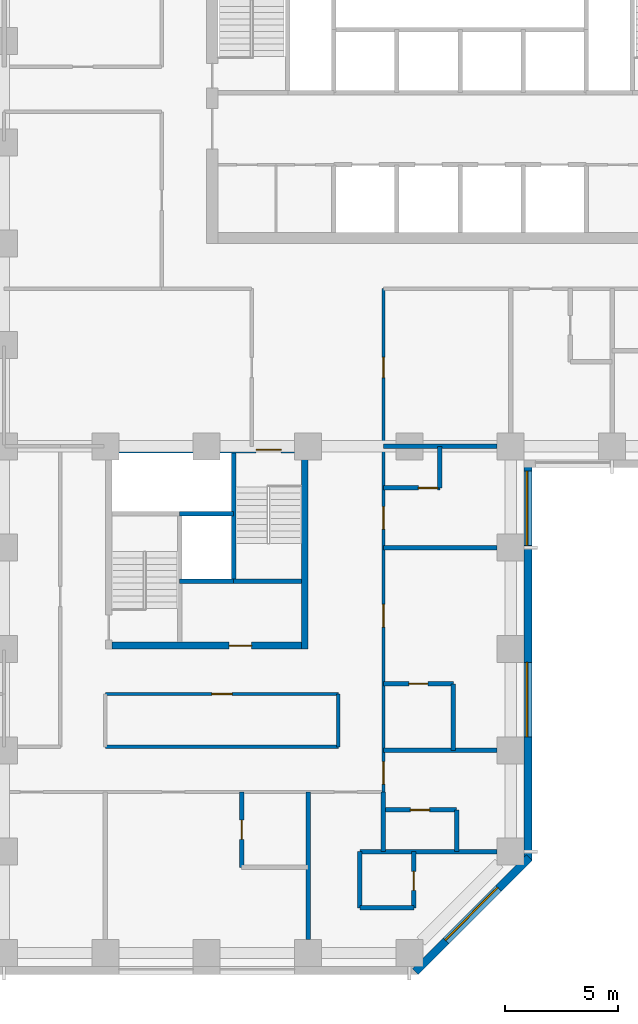
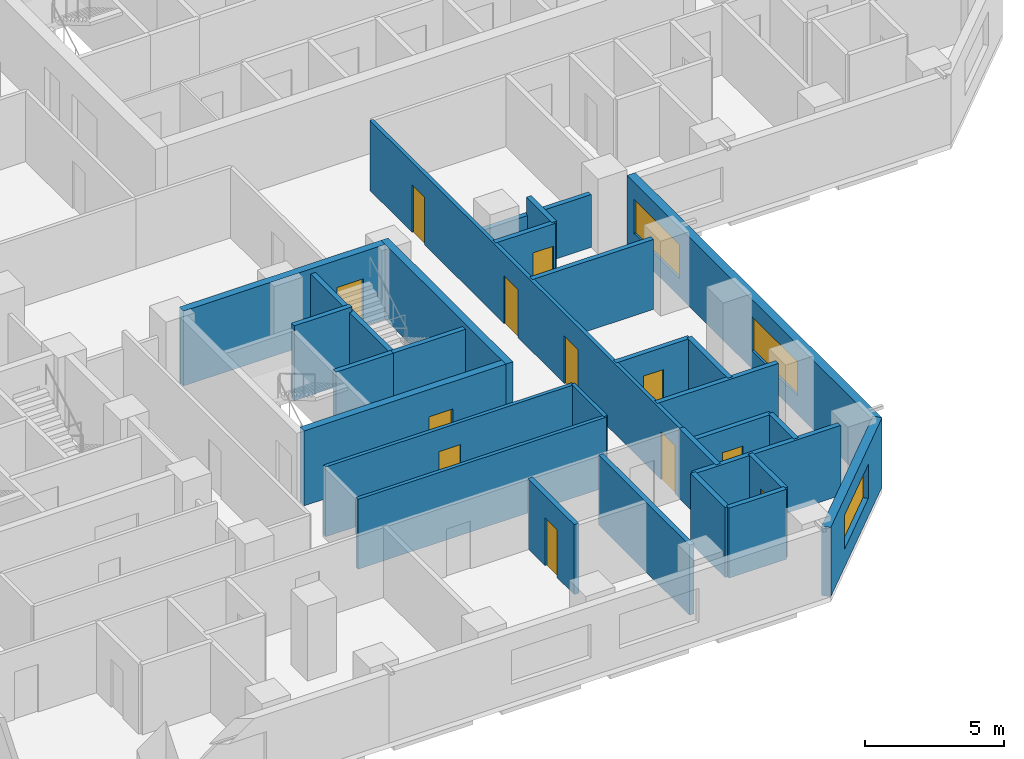
# One storey, part 5 of 13: 29 walls, 12 doors, 3 windows, 15 openings.
"""IFC4 building model written with IfcOpenShell, lengths in metres."""

from ifc_helpers import new_model, si_unit, direction, frame, frame_2d, origin, place, context, subcontext, project, spatial, rectangle, extrude, material, layer, layer_set, constituent, constituent_set, type_object, element, fill, save


model = new_model("IFC4")

# Units and contexts
model_context = context("Model", 3, precision=1e-05, world=origin(), true_north=direction((0.0, 1.0)))
body_context = subcontext(model_context, "Body", "Model", "MODEL_VIEW")
ifc_project = project(units=[si_unit("LENGTHUNIT", "METRE"), si_unit("AREAUNIT", "SQUARE_METRE"), si_unit("VOLUMEUNIT", "CUBIC_METRE"), si_unit("PLANEANGLEUNIT", "RADIAN"), si_unit("MASSUNIT", "GRAM", prefix="KILO")], contexts=[model_context])

# Site, building, storey
site_placement = place(None, origin())
site = spatial("IfcSite", under=ifc_project, at=site_placement, CompositionType="ELEMENT")
building_placement = place(site_placement, origin())
building = spatial("IfcBuilding", under=site, at=building_placement, Name="Quoin Convention Tower", CompositionType="ELEMENT")
storey_placement = place(building_placement, frame((0.0, 0.0, 62.699951171875)))
storey = spatial("IfcBuildingStorey", under=building, at=storey_placement, Name="L16", CompositionType="ELEMENT", Elevation=62.699951171875)

# Wall, opening, window
ifc_material_1 = material(Name="Brick masonry", Category="masonry")
ifc_layer_1 = layer(ifc_material_1, 0.35009765625)
ifc_layer_set_1 = layer_set([ifc_layer_1], Name="Brick masonry")
wall_type_1 = type_object("IfcWallType", Name="Brick facade wall", PredefinedType="STANDARD", material=ifc_layer_set_1)
wall_1_placement = place(storey_placement, frame((54.269775390625, 17.173583984375, 0.0), z_axis=(0.0, 0.0, 1.0), x_axis=(0.707106781187, 0.707106781187, 0.0)))
wall_1 = element("IfcWall", 1, at=wall_1_placement, inside=storey, type_object=wall_type_1, Name="fw-L16-54000_18000", PredefinedType="STANDARD", context=body_context, shape_type="SweptSolid", body=[
    extrude(rectangle(XDim=7.151123046875, YDim=0.35009765625, at=frame_2d((3.57568359375, 0.0))), origin(), (0.0, 0.0, 1.0), 3.054931640625),
])
opening_1_placement = place(wall_1_placement, frame((1.925537109375, 0.0, 0.800048828125)))
opening_1 = element("IfcOpeningElement", 2, at=opening_1_placement, cuts=wall_1, Name="Opening W-01", PredefinedType="OPENING", context=body_context, shape_type="SweptSolid", body=[
    extrude(rectangle(XDim=3.300048828125, YDim=1.5, at=frame_2d((1.64990234375, 0.75))), frame((0.0, 0.18505859375, 0.0), z_axis=(0.0, -1.0, 0.0), x_axis=(1.0, 0.0, 0.0)), (0.0, 0.0, 1.0), 0.3701171875),
])
ifc_material_2 = material(Name="Aluminium", Category="aluminium")
ifc_constituent_1 = constituent(ifc_material_2, Name="Frame")
ifc_material_3 = material(Name="Insulated glass", Category="glass")
ifc_constituent_2 = constituent(ifc_material_3, Name="Glazing")
ifc_constituent_set = constituent_set(constituents=[ifc_constituent_1, ifc_constituent_2], Name="Aluminium")
window_type = type_object("IfcWindowType", Name="Hotel strip window", PartitioningType="DOUBLE_PANEL_VERTICAL", PredefinedType="WINDOW", material=ifc_constituent_set)
window_1_placement = place(opening_1_placement, origin())
window_1 = element("IfcWindow", 3, at=window_1_placement, inside=storey, type_object=window_type, Name="win-L16-56798_19702", OverallHeight=1.5, OverallWidth=3.300048828125, PartitioningType="SINGLE_PANEL", PredefinedType="WINDOW", context=body_context, shape_type="SweptSolid", body=[
    extrude(rectangle(XDim=3.300048828125, YDim=1.5, at=frame_2d((1.64990234375, 0.75))), frame((0.0, 0.0849609375, 0.0), z_axis=(0.0, -1.0, 0.0), x_axis=(1.0, 0.0, 0.0)), (0.0, 0.0, 1.0), 0.06005859375),
])
fill(opening_1, window_1)

# Wall, openings, windows
wall_2_placement = place(storey_placement, frame((59.27490234375, 22.1064453125, 0.0), z_axis=(0.0, 0.0, 1.0), x_axis=(0.0, 1.0, 0.0)))
wall_2 = element("IfcWall", 4, at=wall_2_placement, inside=storey, type_object=wall_type_1, Name="fw-L16-58500_22500", PredefinedType="STANDARD", context=body_context, shape_type="SweptSolid", body=[
    extrude(rectangle(XDim=17.79345703125, YDim=0.35009765625, at=frame_2d((8.896728515625, 0.0))), origin(), (0.0, 0.0, 1.0), 3.054931640625),
])
opening_2_placement = place(wall_2_placement, frame((5.493408203125, 0.0, 0.800048828125)))
opening_2 = element("IfcOpeningElement", 5, at=opening_2_placement, cuts=wall_2, Name="Opening W-01", PredefinedType="OPENING", context=body_context, shape_type="SweptSolid", body=[
    extrude(rectangle(XDim=3.300048828125, YDim=1.5, at=frame_2d((1.64990234375, 0.75))), frame((0.0, 0.18505859375, 0.0), z_axis=(0.0, -1.0, 0.0), x_axis=(1.0, 0.0, 0.0)), (0.0, 0.0, 1.0), 0.3701171875),
])
opening_3_placement = place(wall_2_placement, frame((13.993408203125, 0.0, 0.800048828125)))
opening_3 = element("IfcOpeningElement", 6, at=opening_3_placement, cuts=wall_2, Name="Opening W-01", PredefinedType="OPENING", context=body_context, shape_type="SweptSolid", body=[
    extrude(rectangle(XDim=3.300048828125, YDim=1.5, at=frame_2d((1.64990234375, 0.75))), frame((0.0, 0.18505859375, 0.0), z_axis=(0.0, -1.0, 0.0), x_axis=(1.0, 0.0, 0.0)), (0.0, 0.0, 1.0), 0.3701171875),
])
window_2_placement = place(opening_2_placement, origin())
window_2 = element("IfcWindow", 7, at=window_2_placement, inside=storey, type_object=window_type, Name="win-L16-59275_29250", OverallHeight=1.5, OverallWidth=3.300048828125, PartitioningType="SINGLE_PANEL", PredefinedType="WINDOW", context=body_context, shape_type="SweptSolid", body=[
    extrude(rectangle(XDim=3.300048828125, YDim=1.5, at=frame_2d((1.64990234375, 0.75))), frame((0.0, 0.0849609375, 0.0), z_axis=(0.0, -1.0, 0.0), x_axis=(1.0, 0.0, 0.0)), (0.0, 0.0, 1.0), 0.06005859375),
])
fill(opening_2, window_2)
window_3_placement = place(opening_3_placement, origin())
window_3 = element("IfcWindow", 8, at=window_3_placement, inside=storey, type_object=window_type, Name="win-L16-59275_38250", OverallHeight=1.5, OverallWidth=3.300048828125, PartitioningType="SINGLE_PANEL", PredefinedType="WINDOW", context=body_context, shape_type="SweptSolid", body=[
    extrude(rectangle(XDim=3.300048828125, YDim=1.5, at=frame_2d((1.64990234375, 0.75))), frame((0.0, 0.0849609375, 0.0), z_axis=(0.0, -1.0, 0.0), x_axis=(1.0, 0.0, 0.0)), (0.0, 0.0, 1.0), 0.06005859375),
])
fill(opening_3, window_3)

# Walls
ifc_material_4 = material(Name="Concrete C50", Category="concrete")
ifc_layer_2 = layer(ifc_material_4, 0.199951171875)
ifc_layer_set_2 = layer_set([ifc_layer_2], Name="Concrete C50")
wall_type_2 = type_object("IfcWallType", Name="Core shaft wall", PredefinedType="SOLIDWALL", material=ifc_layer_set_2)
wall_3_placement = place(storey_placement, frame((43.800048828125, 34.5, 0.0), z_axis=(0.0, 0.0, 1.0), x_axis=(1.0, 0.0, 0.0)))
element("IfcWall", 9, at=wall_3_placement, inside=storey, type_object=wall_type_2, Name="cr-P3-L16-h3000_3300", PredefinedType="SOLIDWALL", context=body_context, shape_type="SweptSolid", body=[
    extrude(rectangle(XDim=2.39990234375, YDim=0.199951171875, at=frame_2d((1.199951171875, 0.0))), origin(), (0.0, 0.0, 1.0), 3.080078125),
])
wall_4_placement = place(storey_placement, frame((46.199951171875, 34.5, 0.0), z_axis=(0.0, 0.0, 1.0), x_axis=(1.0, 0.0, 0.0)))
element("IfcWall", 10, at=wall_4_placement, inside=storey, type_object=wall_type_2, Name="cr-P3-L16-h3000_5700", PredefinedType="SOLIDWALL", context=body_context, shape_type="SweptSolid", body=[
    extrude(rectangle(XDim=3.0, YDim=0.199951171875, at=frame_2d((1.5, 0.0))), origin(), (0.0, 0.0, 1.0), 3.080078125),
])
wall_5_placement = place(storey_placement, frame((46.199951171875, 34.5, 0.0), z_axis=(0.0, 0.0, 1.0), x_axis=(0.0, 1.0, 0.0)))
element("IfcWall", 11, at=wall_5_placement, inside=storey, type_object=wall_type_2, Name="cr-P3-L16-v5700_3000", PredefinedType="SOLIDWALL", context=body_context, shape_type="SweptSolid", body=[
    extrude(rectangle(XDim=5.699951171875, YDim=0.199951171875, at=frame_2d((2.85009765625, 0.0))), origin(), (0.0, 0.0, 1.0), 3.080078125),
])
ifc_layer_3 = layer(ifc_material_4, 0.199951171875)
ifc_layer_set_3 = layer_set([ifc_layer_3], Name="Concrete C50")
wall_type_3 = type_object("IfcWallType", Name="Core shaft wall to the floor level over", PredefinedType="SOLIDWALL", material=ifc_layer_set_3)
wall_6_placement = place(storey_placement, frame((43.800048828125, 37.5, 0.0), z_axis=(0.0, 0.0, 1.0), x_axis=(1.0, 0.0, 0.0)))
element("IfcWall", 12, at=wall_6_placement, inside=storey, type_object=wall_type_3, Name="cr-P3-L16-h6000_3300", PredefinedType="SOLIDWALL", context=body_context, shape_type="SweptSolid", body=[
    extrude(rectangle(XDim=2.39990234375, YDim=0.199951171875, at=frame_2d((1.199951171875, 0.0))), origin(), (0.0, 0.0, 1.0), 3.300048828125),
])

# Wall, opening, door
ifc_material_5 = material(Name="Concrete C80", Category="concrete")
ifc_layer_4 = layer(ifc_material_5, 0.300048828125)
ifc_layer_set_4 = layer_set([ifc_layer_4], Name="Concrete C80")
wall_type_4 = type_object("IfcWallType", Name="RC CORE WALL 300 C80", PredefinedType="SHEAR", material=ifc_layer_set_4)
wall_7_placement = place(storey_placement, frame((40.800048828125, 31.64990234375, 0.0), z_axis=(0.0, 0.0, 1.0), x_axis=(1.0, 0.0, 0.0)))
wall_7 = element("IfcWall", 13, at=wall_7_placement, inside=storey, type_object=wall_type_4, Name="cwl-P3-L16-S", PredefinedType="SHEAR", context=body_context, shape_type="SweptSolid", body=[
    extrude(rectangle(XDim=8.39990234375, YDim=0.300048828125, at=frame_2d((4.199951171875, 0.0))), origin(), (0.0, 0.0, 1.0), 3.300048828125),
])
opening_4_placement = place(wall_7_placement, frame((5.199951171875, 0.0, 0.0)))
opening_4 = element("IfcOpeningElement", 14, at=opening_4_placement, cuts=wall_7, Name="Opening DCV0-61", PredefinedType="OPENING", context=body_context, shape_type="SweptSolid", body=[
    extrude(rectangle(XDim=1.0, YDim=2.10009765625, at=frame_2d((0.5, 1.050048828125))), frame((0.0, 0.159912109375, 0.0), z_axis=(0.0, -1.0, 0.0), x_axis=(1.0, 0.0, 0.0)), (0.0, 0.0, 1.0), 0.320068359375),
])
ifc_material_6 = material(Name="Steel door leaf", Category="steel")
door_type_1 = type_object("IfcDoorType", Name="Service door 1000 x 2100", OperationType="SINGLE_SWING_LEFT", PredefinedType="DOOR", material=ifc_material_6)
door_1_placement = place(opening_4_placement, origin())
door_1 = element("IfcDoor", 15, at=door_1_placement, inside=storey, type_object=door_type_1, Name="cd-P3-L16-R2-S", OperationType="SINGLE_SWING_LEFT", OverallHeight=2.10009765625, OverallWidth=1.0, PredefinedType="DOOR", context=body_context, shape_type="SweptSolid", body=[
    extrude(rectangle(XDim=1.0, YDim=2.10009765625, at=frame_2d((0.5, 1.050048828125))), frame((0.0, 0.02490234375, 0.0), z_axis=(0.0, -1.0, 0.0), x_axis=(1.0, 0.0, 0.0)), (0.0, 0.0, 1.0), 0.050048828125),
])
fill(opening_4, door_1)

wall_8_placement = place(storey_placement, frame((40.800048828125, 40.35009765625, 0.0), z_axis=(0.0, 0.0, 1.0), x_axis=(1.0, 0.0, 0.0)))
wall_8 = element("IfcWall", 16, at=wall_8_placement, inside=storey, type_object=wall_type_4, Name="cwl-P3-L16-N", PredefinedType="SHEAR", context=body_context, shape_type="SweptSolid", body=[
    extrude(rectangle(XDim=8.39990234375, YDim=0.300048828125, at=frame_2d((4.199951171875, 0.0))), origin(), (0.0, 0.0, 1.0), 3.300048828125),
])
opening_5_placement = place(wall_8_placement, frame((6.39990234375, 0.0, 0.0)))
opening_5 = element("IfcOpeningElement", 17, at=opening_5_placement, cuts=wall_8, Name="Opening SD6", PredefinedType="OPENING", context=body_context, shape_type="SweptSolid", body=[
    extrude(rectangle(XDim=1.10009765625, YDim=2.10009765625, at=frame_2d((0.550048828125, 1.050048828125))), frame((0.0, 0.159912109375, 0.0), z_axis=(0.0, -1.0, 0.0), x_axis=(1.0, 0.0, 0.0)), (0.0, 0.0, 1.0), 0.320068359375),
])
door_type_2 = type_object("IfcDoorType", Name="Stair door 1100 x 2100", OperationType="SINGLE_SWING_RIGHT", PredefinedType="DOOR", material=ifc_material_6)
door_2_placement = place(opening_5_placement, frame((1.10009765625, 0.0, 0.0), z_axis=(0.0, 0.0, 1.0), x_axis=(-1.0, 0.0, 0.0)))
door_2 = element("IfcDoor", 18, at=door_2_placement, inside=storey, type_object=door_type_2, Name="cd-P3-L16-SB-N", OperationType="SINGLE_SWING_LEFT", OverallHeight=2.10009765625, OverallWidth=1.10009765625, PredefinedType="DOOR", context=body_context, shape_type="SweptSolid", body=[
    extrude(rectangle(XDim=1.10009765625, YDim=2.10009765625, at=frame_2d((0.550048828125, 1.050048828125))), frame((0.0, 0.02490234375, 0.0), z_axis=(0.0, -1.0, 0.0), x_axis=(1.0, 0.0, 0.0)), (0.0, 0.0, 1.0), 0.050048828125),
])
fill(opening_5, door_2)

# Walls
wall_9_placement = place(storey_placement, frame((49.35009765625, 31.5, 0.0), z_axis=(0.0, 0.0, 1.0), x_axis=(0.0, 1.0, 0.0)))
element("IfcWall", 19, at=wall_9_placement, inside=storey, type_object=wall_type_4, Name="cwl-P3-L16-E", PredefinedType="SHEAR", context=body_context, shape_type="SweptSolid", body=[
    extrude(rectangle(XDim=9.0, YDim=0.300048828125, at=frame_2d((4.5, 0.0))), origin(), (0.0, 0.0, 1.0), 3.300048828125),
])
ifc_layer_5 = layer(ifc_material_4, 0.199951171875)
ifc_layer_set_5 = layer_set([ifc_layer_5], Name="Concrete C50")
wall_type_5 = type_object("IfcWallType", Name="RC party wall", PredefinedType="SOLIDWALL", material=ifc_layer_set_5)
wall_10_placement = place(storey_placement, frame((49.5, 18.60009765625, 0.0), z_axis=(0.0, 0.0, 1.0), x_axis=(0.0, 1.0, 0.0)))
element("IfcWall", 20, at=wall_10_placement, inside=storey, type_object=wall_type_5, Name="pw-L16-042", PredefinedType="SOLIDWALL", context=body_context, shape_type="SweptSolid", body=[
    extrude(rectangle(XDim=6.5498046875, YDim=0.199951171875, at=frame_2d((3.27490234375, 0.0))), origin(), (0.0, 0.0, 1.0), 3.080078125),
])
wall_11_placement = place(storey_placement, frame((51.800048828125, 20.0, 0.0), z_axis=(0.0, 0.0, 1.0), x_axis=(1.0, 0.0, 0.0)))
element("IfcWall", 21, at=wall_11_placement, inside=storey, type_object=wall_type_5, Name="pw-L16-046", PredefinedType="SOLIDWALL", context=body_context, shape_type="SweptSolid", body=[
    extrude(rectangle(XDim=2.39990234375, YDim=0.199951171875, at=frame_2d((1.199951171875, 0.0))), origin(), (0.0, 0.0, 1.0), 3.080078125),
])
wall_12_placement = place(storey_placement, frame((51.800048828125, 20.0, 0.0), z_axis=(0.0, 0.0, 1.0), x_axis=(0.0, 1.0, 0.0)))
element("IfcWall", 22, at=wall_12_placement, inside=storey, type_object=wall_type_5, Name="pw-L16-047", PredefinedType="SOLIDWALL", context=body_context, shape_type="SweptSolid", body=[
    extrude(rectangle(XDim=2.5, YDim=0.199951171875, at=frame_2d((1.25, 0.0))), origin(), (0.0, 0.0, 1.0), 3.080078125),
])

# Wall, opening, door
wall_13_placement = place(storey_placement, frame((54.199951171875, 20.0, 0.0), z_axis=(0.0, 0.0, 1.0), x_axis=(0.0, 1.0, 0.0)))
wall_13 = element("IfcWall", 23, at=wall_13_placement, inside=storey, type_object=wall_type_5, Name="pw-L16-048", PredefinedType="SOLIDWALL", context=body_context, shape_type="SweptSolid", body=[
    extrude(rectangle(XDim=2.5, YDim=0.199951171875, at=frame_2d((1.25, 0.0))), origin(), (0.0, 0.0, 1.0), 3.080078125),
])
opening_6_placement = place(wall_13_placement, frame((0.77490234375, 0.0, 0.0)))
opening_6 = element("IfcOpeningElement", 24, at=opening_6_placement, cuts=wall_13, Name="Opening DHOTEL-E-37", PredefinedType="OPENING", context=body_context, shape_type="SweptSolid", body=[
    extrude(rectangle(XDim=0.85009765625, YDim=2.10009765625, at=frame_2d((0.425048828125, 1.050048828125))), frame((0.0, 0.10986328125, 0.0), z_axis=(0.0, -1.0, 0.0), x_axis=(1.0, 0.0, 0.0)), (0.0, 0.0, 1.0), 0.219970703125),
])
door_type_3 = type_object("IfcDoorType", Name="Bathroom door", OperationType="SINGLE_SWING_LEFT", PredefinedType="DOOR", material=ifc_material_6)
door_3_placement = place(opening_6_placement, frame((0.85009765625, 0.0, 0.0), z_axis=(0.0, 0.0, 1.0), x_axis=(-1.0, 0.0, 0.0)))
door_3 = element("IfcDoor", 25, at=door_3_placement, inside=storey, type_object=door_type_3, Name="dr-L16-052", OperationType="SINGLE_SWING_LEFT", OverallHeight=2.10009765625, OverallWidth=0.85009765625, PredefinedType="DOOR", context=body_context, shape_type="SweptSolid", body=[
    extrude(rectangle(XDim=0.85009765625, YDim=2.10009765625, at=frame_2d((0.425048828125, 1.050048828125))), frame((0.0, 0.02490234375, 0.0), z_axis=(0.0, -1.0, 0.0), x_axis=(1.0, 0.0, 0.0)), (0.0, 0.0, 1.0), 0.050048828125),
])
fill(opening_6, door_3)

wall_14_placement = place(storey_placement, frame((46.550048828125, 21.800048828125, 0.0), z_axis=(0.0, 0.0, 1.0), x_axis=(0.0, 1.0, 0.0)))
wall_14 = element("IfcWall", 26, at=wall_14_placement, inside=storey, type_object=wall_type_5, Name="pw-L16-050", PredefinedType="SOLIDWALL", context=body_context, shape_type="SweptSolid", body=[
    extrude(rectangle(XDim=3.349853515625, YDim=0.199951171875, at=frame_2d((1.6748046875, 0.0))), origin(), (0.0, 0.0, 1.0), 3.080078125),
])
opening_7_placement = place(wall_14_placement, frame((1.25, 0.0, 0.0)))
opening_7 = element("IfcOpeningElement", 27, at=opening_7_placement, cuts=wall_14, Name="Opening DHOTEL-E-38", PredefinedType="OPENING", context=body_context, shape_type="SweptSolid", body=[
    extrude(rectangle(XDim=0.85009765625, YDim=2.10009765625, at=frame_2d((0.425048828125, 1.050048828125))), frame((0.0, 0.10986328125, 0.0), z_axis=(0.0, -1.0, 0.0), x_axis=(1.0, 0.0, 0.0)), (0.0, 0.0, 1.0), 0.219970703125),
])
door_4_placement = place(opening_7_placement, origin())
door_4 = element("IfcDoor", 28, at=door_4_placement, inside=storey, type_object=door_type_3, Name="dr-L16-006", OperationType="SINGLE_SWING_RIGHT", OverallHeight=2.10009765625, OverallWidth=0.85009765625, PredefinedType="DOOR", context=body_context, shape_type="SweptSolid", body=[
    extrude(rectangle(XDim=0.85009765625, YDim=2.10009765625, at=frame_2d((0.425048828125, 1.050048828125))), frame((0.0, 0.02490234375, 0.0), z_axis=(0.0, -1.0, 0.0), x_axis=(1.0, 0.0, 0.0)), (0.0, 0.0, 1.0), 0.050048828125),
])
fill(opening_7, door_4)

# Walls
wall_15_placement = place(storey_placement, frame((51.800048828125, 22.5, 0.0), z_axis=(0.0, 0.0, 1.0), x_axis=(1.0, 0.0, 0.0)))
element("IfcWall", 29, at=wall_15_placement, inside=storey, type_object=wall_type_5, Name="pw-L16-055", PredefinedType="SOLIDWALL", context=body_context, shape_type="SweptSolid", body=[
    extrude(rectangle(XDim=6.099853515625, YDim=0.199951171875, at=frame_2d((3.0498046875, 0.0))), origin(), (0.0, 0.0, 1.0), 3.080078125),
])
wall_16_placement = place(storey_placement, frame((52.85009765625, 22.5, 0.0), z_axis=(0.0, 0.0, 1.0), x_axis=(0.0, 1.0, 0.0)))
element("IfcWall", 30, at=wall_16_placement, inside=storey, type_object=wall_type_5, Name="pw-L16-056", PredefinedType="SOLIDWALL", context=body_context, shape_type="SweptSolid", body=[
    extrude(rectangle(XDim=2.64990234375, YDim=0.199951171875, at=frame_2d((1.324951171875, 0.0))), origin(), (0.0, 0.0, 1.0), 3.080078125),
])
wall_17_placement = place(storey_placement, frame((56.10009765625, 22.5, 0.0), z_axis=(0.0, 0.0, 1.0), x_axis=(0.0, 1.0, 0.0)))
element("IfcWall", 31, at=wall_17_placement, inside=storey, type_object=wall_type_5, Name="pw-L16-057", PredefinedType="SOLIDWALL", context=body_context, shape_type="SweptSolid", body=[
    extrude(rectangle(XDim=1.85009765625, YDim=0.199951171875, at=frame_2d((0.925048828125, 0.0))), origin(), (0.0, 0.0, 1.0), 3.080078125),
])

# Wall, opening, door
wall_18_placement = place(storey_placement, frame((52.85009765625, 24.35009765625, 0.0), z_axis=(0.0, 0.0, 1.0), x_axis=(1.0, 0.0, 0.0)))
wall_18 = element("IfcWall", 32, at=wall_18_placement, inside=storey, type_object=wall_type_5, Name="pw-L16-060", PredefinedType="SOLIDWALL", context=body_context, shape_type="SweptSolid", body=[
    extrude(rectangle(XDim=3.25, YDim=0.199951171875, at=frame_2d((1.625, 0.0))), origin(), (0.0, 0.0, 1.0), 3.080078125),
])
opening_8_placement = place(wall_18_placement, frame((1.199951171875, 0.0, 0.0)))
opening_8 = element("IfcOpeningElement", 33, at=opening_8_placement, cuts=wall_18, Name="Opening DHOTEL-E-41", PredefinedType="OPENING", context=body_context, shape_type="SweptSolid", body=[
    extrude(rectangle(XDim=0.85009765625, YDim=2.10009765625, at=frame_2d((0.425048828125, 1.050048828125))), frame((0.0, 0.10986328125, 0.0), z_axis=(0.0, -1.0, 0.0), x_axis=(1.0, 0.0, 0.0)), (0.0, 0.0, 1.0), 0.219970703125),
])
door_5_placement = place(opening_8_placement, origin())
door_5 = element("IfcDoor", 34, at=door_5_placement, inside=storey, type_object=door_type_3, Name="dr-L16-016", OperationType="SINGLE_SWING_LEFT", OverallHeight=2.10009765625, OverallWidth=0.85009765625, PredefinedType="DOOR", context=body_context, shape_type="SweptSolid", body=[
    extrude(rectangle(XDim=0.85009765625, YDim=2.10009765625, at=frame_2d((0.425048828125, 1.050048828125))), frame((0.0, 0.02490234375, 0.0), z_axis=(0.0, -1.0, 0.0), x_axis=(1.0, 0.0, 0.0)), (0.0, 0.0, 1.0), 0.050048828125),
])
fill(opening_8, door_5)

# Walls
wall_19_placement = place(storey_placement, frame((52.85009765625, 27.0, 0.0), z_axis=(0.0, 0.0, 1.0), x_axis=(1.0, 0.0, 0.0)))
element("IfcWall", 35, at=wall_19_placement, inside=storey, type_object=wall_type_5, Name="pw-L16-061", PredefinedType="SOLIDWALL", context=body_context, shape_type="SweptSolid", body=[
    extrude(rectangle(XDim=5.0498046875, YDim=0.199951171875, at=frame_2d((2.52490234375, 0.0))), origin(), (0.0, 0.0, 1.0), 3.080078125),
])
wall_20_placement = place(storey_placement, frame((55.949951171875, 27.0, 0.0), z_axis=(0.0, 0.0, 1.0), x_axis=(0.0, 1.0, 0.0)))
element("IfcWall", 36, at=wall_20_placement, inside=storey, type_object=wall_type_5, Name="pw-L16-062", PredefinedType="SOLIDWALL", context=body_context, shape_type="SweptSolid", body=[
    extrude(rectangle(XDim=2.949951171875, YDim=0.199951171875, at=frame_2d((1.47509765625, 0.0))), origin(), (0.0, 0.0, 1.0), 3.080078125),
])

# Wall, opening, door
wall_21_placement = place(storey_placement, frame((52.85009765625, 29.949951171875, 0.0), z_axis=(0.0, 0.0, 1.0), x_axis=(1.0, 0.0, 0.0)))
wall_21 = element("IfcWall", 37, at=wall_21_placement, inside=storey, type_object=wall_type_5, Name="pw-L16-065", PredefinedType="SOLIDWALL", context=body_context, shape_type="SweptSolid", body=[
    extrude(rectangle(XDim=3.099853515625, YDim=0.199951171875, at=frame_2d((1.5498046875, 0.0))), origin(), (0.0, 0.0, 1.0), 3.080078125),
])
opening_9_placement = place(wall_21_placement, frame((1.125, 0.0, 0.0)))
opening_9 = element("IfcOpeningElement", 38, at=opening_9_placement, cuts=wall_21, Name="Opening DHOTEL-E-43", PredefinedType="OPENING", context=body_context, shape_type="SweptSolid", body=[
    extrude(rectangle(XDim=0.85009765625, YDim=2.10009765625, at=frame_2d((0.425048828125, 1.050048828125))), frame((0.0, 0.10986328125, 0.0), z_axis=(0.0, -1.0, 0.0), x_axis=(1.0, 0.0, 0.0)), (0.0, 0.0, 1.0), 0.219970703125),
])
door_6_placement = place(opening_9_placement, origin())
door_6 = element("IfcDoor", 39, at=door_6_placement, inside=storey, type_object=door_type_3, Name="dr-L16-018", OperationType="SINGLE_SWING_LEFT", OverallHeight=2.10009765625, OverallWidth=0.85009765625, PredefinedType="DOOR", context=body_context, shape_type="SweptSolid", body=[
    extrude(rectangle(XDim=0.85009765625, YDim=2.10009765625, at=frame_2d((0.425048828125, 1.050048828125))), frame((0.0, 0.02490234375, 0.0), z_axis=(0.0, -1.0, 0.0), x_axis=(1.0, 0.0, 0.0)), (0.0, 0.0, 1.0), 0.050048828125),
])
fill(opening_9, door_6)

# Wall
wall_22_placement = place(storey_placement, frame((52.85009765625, 36.0, 0.0), z_axis=(0.0, 0.0, 1.0), x_axis=(1.0, 0.0, 0.0)))
element("IfcWall", 40, at=wall_22_placement, inside=storey, type_object=wall_type_5, Name="pw-L16-069", PredefinedType="SOLIDWALL", context=body_context, shape_type="SweptSolid", body=[
    extrude(rectangle(XDim=5.0498046875, YDim=0.199951171875, at=frame_2d((2.52490234375, 0.0))), origin(), (0.0, 0.0, 1.0), 3.080078125),
])

# Wall, opening, door
wall_23_placement = place(storey_placement, frame((52.85009765625, 38.64990234375, 0.0), z_axis=(0.0, 0.0, 1.0), x_axis=(1.0, 0.0, 0.0)))
wall_23 = element("IfcWall", 41, at=wall_23_placement, inside=storey, type_object=wall_type_5, Name="pw-L16-070", PredefinedType="SOLIDWALL", context=body_context, shape_type="SweptSolid", body=[
    extrude(rectangle(XDim=2.5, YDim=0.199951171875, at=frame_2d((1.25, 0.0))), origin(), (0.0, 0.0, 1.0), 3.080078125),
])
opening_10_placement = place(wall_23_placement, frame((1.550048828125, 0.0, 0.0)))
opening_10 = element("IfcOpeningElement", 42, at=opening_10_placement, cuts=wall_23, Name="Opening DHOTEL-E-45", PredefinedType="OPENING", context=body_context, shape_type="SweptSolid", body=[
    extrude(rectangle(XDim=0.85009765625, YDim=2.10009765625, at=frame_2d((0.425048828125, 1.050048828125))), frame((0.0, 0.10986328125, 0.0), z_axis=(0.0, -1.0, 0.0), x_axis=(1.0, 0.0, 0.0)), (0.0, 0.0, 1.0), 0.219970703125),
])
door_7_placement = place(opening_10_placement, frame((0.85009765625, 0.0, 0.0), z_axis=(0.0, 0.0, 1.0), x_axis=(-1.0, 0.0, 0.0)))
door_7 = element("IfcDoor", 43, at=door_7_placement, inside=storey, type_object=door_type_3, Name="dr-L16-020", OperationType="SINGLE_SWING_LEFT", OverallHeight=2.10009765625, OverallWidth=0.85009765625, PredefinedType="DOOR", context=body_context, shape_type="SweptSolid", body=[
    extrude(rectangle(XDim=0.85009765625, YDim=2.10009765625, at=frame_2d((0.425048828125, 1.050048828125))), frame((0.0, 0.02490234375, 0.0), z_axis=(0.0, -1.0, 0.0), x_axis=(1.0, 0.0, 0.0)), (0.0, 0.0, 1.0), 0.050048828125),
])
fill(opening_10, door_7)

# Wall
wall_24_placement = place(storey_placement, frame((55.35009765625, 38.64990234375, 0.0), z_axis=(0.0, 0.0, 1.0), x_axis=(0.0, 1.0, 0.0)))
element("IfcWall", 44, at=wall_24_placement, inside=storey, type_object=wall_type_5, Name="pw-L16-071", PredefinedType="SOLIDWALL", context=body_context, shape_type="SweptSolid", body=[
    extrude(rectangle(XDim=1.85009765625, YDim=0.199951171875, at=frame_2d((0.925048828125, 0.0))), origin(), (0.0, 0.0, 1.0), 3.080078125),
])

# Wall, openings, doors
ifc_material_7 = material(Name="Plasterboard")
ifc_layer_6 = layer(ifc_material_7, 0.012451171875, Name="Finish")
ifc_material_8 = material(Name="Steel stud framing", Category="steel")
ifc_layer_7 = layer(ifc_material_8, 0.125, Name="Structure")
ifc_layer_8 = layer(ifc_material_7, 0.012451171875, Name="Finish")
ifc_layer_set_6 = layer_set([ifc_layer_6, ifc_layer_7, ifc_layer_8], Name="Steel stud framing")
wall_type_6 = type_object("IfcWallType", Name="corridor partition", PredefinedType="PARTITIONING", material=ifc_layer_set_6)
wall_25_placement = place(storey_placement, frame((52.85009765625, 25.14990234375, 0.0), z_axis=(0.0, 0.0, 1.0), x_axis=(0.0, 1.0, 0.0)))
wall_25 = element("IfcWall", 45, at=wall_25_placement, inside=storey, type_object=wall_type_6, Name="pw-L16-007", PredefinedType="PARTITIONING", context=body_context, shape_type="SweptSolid", body=[
    extrude(rectangle(XDim=22.35009765625, YDim=0.14990234375, at=frame_2d((11.175048828125, 0.0))), origin(), (0.0, 0.0, 1.0), 3.080078125),
])
opening_11_placement = place(wall_25_placement, frame((0.346923828125, 0.0, 0.0)))
opening_11 = element("IfcOpeningElement", 46, at=opening_11_placement, cuts=wall_25, Name="Opening DHOTEL-E-09", PredefinedType="OPENING", context=body_context, shape_type="SweptSolid", body=[
    extrude(rectangle(XDim=1.0, YDim=2.10009765625, at=frame_2d((0.5, 1.050048828125))), frame((0.0, 0.0849609375, 0.0), z_axis=(0.0, -1.0, 0.0), x_axis=(1.0, 0.0, 0.0)), (0.0, 0.0, 1.0), 0.169921875),
])
opening_12_placement = place(wall_25_placement, frame((7.324951171875, 0.0, 0.0)))
opening_12 = element("IfcOpeningElement", 47, at=opening_12_placement, cuts=wall_25, Name="Opening DHOTEL-E-10", PredefinedType="OPENING", context=body_context, shape_type="SweptSolid", body=[
    extrude(rectangle(XDim=1.0, YDim=2.10009765625, at=frame_2d((0.5, 1.050048828125))), frame((0.0, 0.0849609375, 0.0), z_axis=(0.0, -1.0, 0.0), x_axis=(1.0, 0.0, 0.0)), (0.0, 0.0, 1.0), 0.169921875),
])
opening_13_placement = place(wall_25_placement, frame((11.675048828125, 0.0, 0.0)))
opening_13 = element("IfcOpeningElement", 48, at=opening_13_placement, cuts=wall_25, Name="Opening DHOTEL-E-11", PredefinedType="OPENING", context=body_context, shape_type="SweptSolid", body=[
    extrude(rectangle(XDim=1.0, YDim=2.10009765625, at=frame_2d((0.5, 1.050048828125))), frame((0.0, 0.0849609375, 0.0), z_axis=(0.0, -1.0, 0.0), x_axis=(1.0, 0.0, 0.0)), (0.0, 0.0, 1.0), 0.169921875),
])
opening_14_placement = place(wall_25_placement, frame((18.39990234375, 0.0, 0.0)))
opening_14 = element("IfcOpeningElement", 49, at=opening_14_placement, cuts=wall_25, Name="Opening DHOTEL-E-12", PredefinedType="OPENING", context=body_context, shape_type="SweptSolid", body=[
    extrude(rectangle(XDim=0.89990234375, YDim=2.10009765625, at=frame_2d((0.449951171875, 1.050048828125))), frame((0.0, 0.0849609375, 0.0), z_axis=(0.0, -1.0, 0.0), x_axis=(1.0, 0.0, 0.0)), (0.0, 0.0, 1.0), 0.169921875),
])
door_type_4 = type_object("IfcDoorType", Name="Hotel room door", OperationType="SINGLE_SWING_LEFT", PredefinedType="DOOR", material=ifc_material_6)
door_8_placement = place(opening_11_placement, frame((1.0, 0.0, 0.0), z_axis=(0.0, 0.0, 1.0), x_axis=(-1.0, 0.0, 0.0)))
door_8 = element("IfcDoor", 50, at=door_8_placement, inside=storey, type_object=door_type_4, Name="dr-L16-015", OperationType="SINGLE_SWING_RIGHT", OverallHeight=2.10009765625, OverallWidth=1.0, PredefinedType="DOOR", context=body_context, shape_type="SweptSolid", body=[
    extrude(rectangle(XDim=1.0, YDim=2.10009765625, at=frame_2d((0.5, 1.050048828125))), frame((0.0, 0.02490234375, 0.0), z_axis=(0.0, -1.0, 0.0), x_axis=(1.0, 0.0, 0.0)), (0.0, 0.0, 1.0), 0.050048828125),
])
fill(opening_11, door_8)
door_9_placement = place(opening_12_placement, frame((1.0, 0.0, 0.0), z_axis=(0.0, 0.0, 1.0), x_axis=(-1.0, 0.0, 0.0)))
door_9 = element("IfcDoor", 51, at=door_9_placement, inside=storey, type_object=door_type_4, Name="dr-L16-017", OperationType="SINGLE_SWING_LEFT", OverallHeight=2.10009765625, OverallWidth=1.0, PredefinedType="DOOR", context=body_context, shape_type="SweptSolid", body=[
    extrude(rectangle(XDim=1.0, YDim=2.10009765625, at=frame_2d((0.5, 1.050048828125))), frame((0.0, 0.02490234375, 0.0), z_axis=(0.0, -1.0, 0.0), x_axis=(1.0, 0.0, 0.0)), (0.0, 0.0, 1.0), 0.050048828125),
])
fill(opening_12, door_9)
door_10_placement = place(opening_13_placement, frame((1.0, 0.0, 0.0), z_axis=(0.0, 0.0, 1.0), x_axis=(-1.0, 0.0, 0.0)))
door_10 = element("IfcDoor", 52, at=door_10_placement, inside=storey, type_object=door_type_4, Name="dr-L16-019", OperationType="SINGLE_SWING_LEFT", OverallHeight=2.10009765625, OverallWidth=1.0, PredefinedType="DOOR", context=body_context, shape_type="SweptSolid", body=[
    extrude(rectangle(XDim=1.0, YDim=2.10009765625, at=frame_2d((0.5, 1.050048828125))), frame((0.0, 0.02490234375, 0.0), z_axis=(0.0, -1.0, 0.0), x_axis=(1.0, 0.0, 0.0)), (0.0, 0.0, 1.0), 0.050048828125),
])
fill(opening_13, door_10)
door_type_5 = type_object("IfcDoorType", Name="Single room door", OperationType="SINGLE_SWING_RIGHT", PredefinedType="DOOR", material=ifc_material_6)
door_11_placement = place(opening_14_placement, frame((0.89990234375, 0.0, 0.0), z_axis=(0.0, 0.0, 1.0), x_axis=(-1.0, 0.0, 0.0)))
door_11 = element("IfcDoor", 53, at=door_11_placement, inside=storey, type_object=door_type_5, Name="dr-L16-070", OperationType="SINGLE_SWING_LEFT", OverallHeight=2.10009765625, OverallWidth=0.89990234375, PredefinedType="DOOR", context=body_context, shape_type="SweptSolid", body=[
    extrude(rectangle(XDim=0.89990234375, YDim=2.10009765625, at=frame_2d((0.449951171875, 1.050048828125))), frame((0.0, 0.02490234375, 0.0), z_axis=(0.0, -1.0, 0.0), x_axis=(1.0, 0.0, 0.0)), (0.0, 0.0, 1.0), 0.050048828125),
])
fill(opening_14, door_11)

# Walls
wall_26_placement = place(storey_placement, frame((40.5, 27.14990234375, 0.0), z_axis=(0.0, 0.0, 1.0), x_axis=(1.0, 0.0, 0.0)))
element("IfcWall", 54, at=wall_26_placement, inside=storey, type_object=wall_type_6, Name="pw-L16-014", PredefinedType="PARTITIONING", context=body_context, shape_type="SweptSolid", body=[
    extrude(rectangle(XDim=10.35009765625, YDim=0.14990234375, at=frame_2d((5.175048828125, 0.0))), origin(), (0.0, 0.0, 1.0), 3.080078125),
])
wall_27_placement = place(storey_placement, frame((50.85009765625, 27.14990234375, 0.0), z_axis=(0.0, 0.0, 1.0), x_axis=(0.0, 1.0, 0.0)))
element("IfcWall", 55, at=wall_27_placement, inside=storey, type_object=wall_type_6, Name="pw-L16-016", PredefinedType="PARTITIONING", context=body_context, shape_type="SweptSolid", body=[
    extrude(rectangle(XDim=2.35009765625, YDim=0.14990234375, at=frame_2d((1.175048828125, 0.0))), origin(), (0.0, 0.0, 1.0), 3.080078125),
])

# Wall, opening, door
wall_28_placement = place(storey_placement, frame((40.5, 29.5, 0.0), z_axis=(0.0, 0.0, 1.0), x_axis=(1.0, 0.0, 0.0)))
wall_28 = element("IfcWall", 56, at=wall_28_placement, inside=storey, type_object=wall_type_6, Name="pw-L16-019", PredefinedType="PARTITIONING", context=body_context, shape_type="SweptSolid", body=[
    extrude(rectangle(XDim=10.35009765625, YDim=0.14990234375, at=frame_2d((5.175048828125, 0.0))), origin(), (0.0, 0.0, 1.0), 3.080078125),
])
opening_15_placement = place(wall_28_placement, frame((4.72509765625, 0.0, 0.0)))
opening_15 = element("IfcOpeningElement", 57, at=opening_15_placement, cuts=wall_28, Name="Opening DHOTEL-E-16", PredefinedType="OPENING", context=body_context, shape_type="SweptSolid", body=[
    extrude(rectangle(XDim=0.89990234375, YDim=2.10009765625, at=frame_2d((0.449951171875, 1.050048828125))), frame((0.0, 0.0849609375, 0.0), z_axis=(0.0, -1.0, 0.0), x_axis=(1.0, 0.0, 0.0)), (0.0, 0.0, 1.0), 0.169921875),
])
door_type_6 = type_object("IfcDoorType", Name="Service room door", OperationType="SINGLE_SWING_LEFT", PredefinedType="DOOR", material=ifc_material_6)
door_12_placement = place(opening_15_placement, frame((0.89990234375, 0.0, 0.0), z_axis=(0.0, 0.0, 1.0), x_axis=(-1.0, 0.0, 0.0)))
door_12 = element("IfcDoor", 58, at=door_12_placement, inside=storey, type_object=door_type_6, Name="dr-L16-064", OperationType="SINGLE_SWING_LEFT", OverallHeight=2.10009765625, OverallWidth=0.89990234375, PredefinedType="DOOR", context=body_context, shape_type="SweptSolid", body=[
    extrude(rectangle(XDim=0.89990234375, YDim=2.10009765625, at=frame_2d((0.449951171875, 1.050048828125))), frame((0.0, 0.02490234375, 0.0), z_axis=(0.0, -1.0, 0.0), x_axis=(1.0, 0.0, 0.0)), (0.0, 0.0, 1.0), 0.050048828125),
])
fill(opening_15, door_12)

# Wall
ifc_layer_9 = layer(ifc_material_7, 0.012451171875, Name="Finish")
ifc_layer_10 = layer(ifc_material_8, 0.175048828125, Name="Structure")
ifc_layer_11 = layer(ifc_material_7, 0.012451171875, Name="Finish")
ifc_layer_set_7 = layer_set([ifc_layer_9, ifc_layer_10, ifc_layer_11], Name="Steel stud framing")
wall_type_7 = type_object("IfcWallType", Name="guest room compartment wall under beam 750", PredefinedType="PARTITIONING", material=ifc_layer_set_7)
wall_29_placement = place(storey_placement, frame((52.85009765625, 40.5, 0.0), z_axis=(0.0, 0.0, 1.0), x_axis=(1.0, 0.0, 0.0)))
element("IfcWall", 59, at=wall_29_placement, inside=storey, type_object=wall_type_7, Name="pw-L16-001", PredefinedType="PARTITIONING", context=body_context, shape_type="SweptSolid", body=[
    extrude(rectangle(XDim=5.0498046875, YDim=0.199951171875, at=frame_2d((2.52490234375, 0.0))), origin(), (0.0, 0.0, 1.0), 2.330078125),
])

save(model, "model.ifc")
